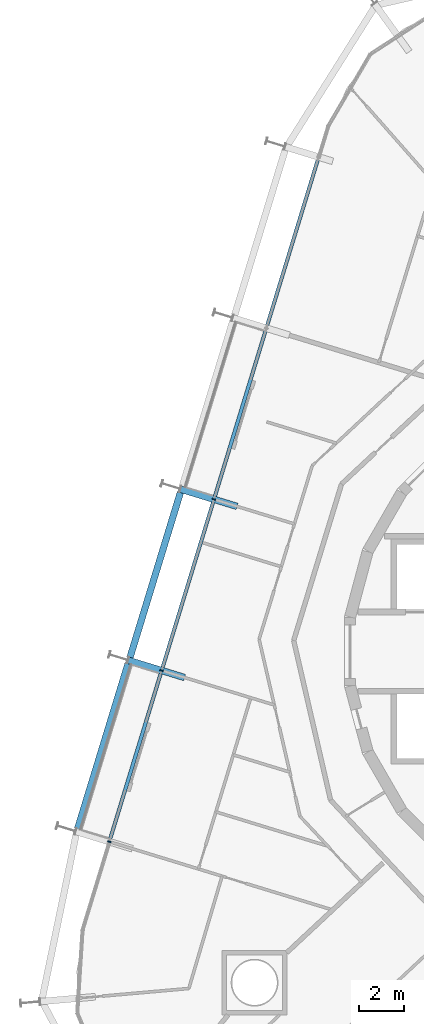
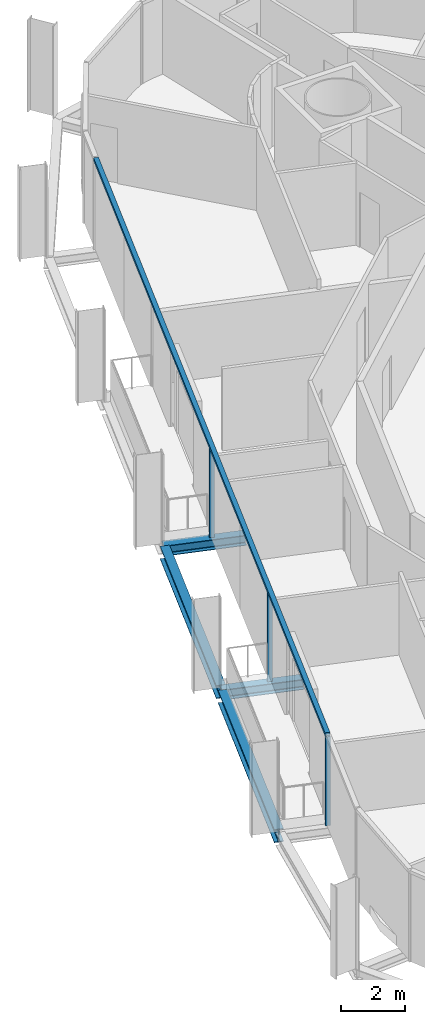
# One storey, part 5 of 18: 4 beams, 4 members, 2 elements without a shape of their own.
"""IFC4 building model written with IfcOpenShell, lengths in metres."""

from ifc_helpers import new_model, si_unit, direction, frame, origin, origin_2d, place, context, subcontext, project, spatial, rectangle, i_section, extrude, material, layer, layer_set, material_profile, profile_set, type_object, element, aggregate, save


model = new_model("IFC4")

# Units and contexts
model_context = context("Model", 3, precision=1e-05, world=origin(), true_north=direction((0.0, 1.0)))
body_context = subcontext(model_context, "Body", "Model", "MODEL_VIEW")
ifc_project = project(units=[si_unit("LENGTHUNIT", "METRE"), si_unit("AREAUNIT", "SQUARE_METRE"), si_unit("VOLUMEUNIT", "CUBIC_METRE"), si_unit("PLANEANGLEUNIT", "RADIAN"), si_unit("MASSUNIT", "GRAM", prefix="KILO")], contexts=[model_context])

# Site, building, storey
site_placement = place(None, origin())
site = spatial("IfcSite", under=ifc_project, at=site_placement, CompositionType="ELEMENT")
building_placement = place(site_placement, origin())
building = spatial("IfcBuilding", under=site, at=building_placement, Name="Spindle Arch Residences", CompositionType="ELEMENT")
storey_placement = place(building_placement, frame((0.0, 0.0, 130.89990234375)))
storey = spatial("IfcBuildingStorey", under=building, at=storey_placement, Name="L32", CompositionType="ELEMENT", Elevation=130.89990234375)

# Curtain wall, members
ifc_material_1 = material(Name="Aluminium bronze unitised frame with tinted glass", Category="aluminium")
ifc_layer_1 = layer(ifc_material_1, 0.159912109375)
ifc_layer_set_1 = layer_set([ifc_layer_1], Name="CW-C typical residential unitised wall")
curtain_wall_type_1 = type_object("IfcCurtainWallType", Name="CW-C typical residential unitised wall", PredefinedType="NOTDEFINED", material=ifc_layer_set_1)
curtain_wall_1_placement = place(storey_placement, origin())
curtain_wall_1 = element("IfcCurtainWall", 1, at=curtain_wall_1_placement, inside=storey, type_object=curtain_wall_type_1, Name="CW-C L32 run 4", PredefinedType="NOTDEFINED")
ifc_material_2 = material(Name="Aluminium bronze anodised mullion", Category="aluminium")
ifc_material_profile_1 = material_profile(ifc_material_2, rectangle(XDim=0.159912109375, YDim=0.06005859375, at=origin_2d()), Name="MU 60x160")
ifc_profile_set_1 = profile_set([ifc_material_profile_1], Name="Aluminium bronze anodised mullion")
member_type_1 = type_object("IfcMemberType", Name="Bronze mullion 60x160", PredefinedType="MULLION", material=ifc_profile_set_1)
member_1_placement = place(storey_placement, frame((-17.750732421875, 6.826171875, -0.3798828125), z_axis=(0.0, 0.0, 1.0), x_axis=(0.956304755963, -0.292371704723, 0.0)))
member_1 = element("IfcMember", 2, at=member_1_placement, type_object=member_type_1, Name="CW-C mullion 14", PredefinedType="MULLION", context=body_context, shape_type="SweptSolid", body=[
    extrude(rectangle(XDim=0.159912109375, YDim=0.06005859375, at=origin_2d()), origin(), (0.0, 0.0, 1.0), 3.3798828125),
])
member_2_placement = place(storey_placement, frame((-20.09814453125, -0.85205078125, -0.3798828125), z_axis=(0.0, 0.0, 1.0), x_axis=(0.956304755963, -0.292371704723, 0.0)))
member_2 = element("IfcMember", 3, at=member_2_placement, type_object=member_type_1, Name="CW-C mullion 15", PredefinedType="MULLION", context=body_context, shape_type="SweptSolid", body=[
    extrude(rectangle(XDim=0.159912109375, YDim=0.06005859375, at=origin_2d()), origin(), (0.0, 0.0, 1.0), 3.3798828125),
])

# Curtain wall, member
ifc_material_3 = material(Name="Aluminium bronze unitised frame with tinted glass", Category="aluminium")
ifc_layer_2 = layer(ifc_material_3, 0.159912109375)
ifc_layer_set_2 = layer_set([ifc_layer_2], Name="CW-D corner wall on the fillet arcs")
curtain_wall_type_2 = type_object("IfcCurtainWallType", Name="CW-D corner wall on the fillet arcs", PredefinedType="NOTDEFINED", material=ifc_layer_set_2)
curtain_wall_2_placement = place(storey_placement, origin())
curtain_wall_2 = element("IfcCurtainWall", 4, at=curtain_wall_2_placement, inside=storey, type_object=curtain_wall_type_2, Name="CW-D L32 run 5", PredefinedType="NOTDEFINED")
member_3_placement = place(storey_placement, frame((-22.44580078125, -8.5302734375, -0.3798828125), z_axis=(0.0, 0.0, 1.0), x_axis=(0.956304755963, -0.292371704723, 0.0)))
member_3 = element("IfcMember", 5, at=member_3_placement, type_object=member_type_1, Name="CW-D mullion 00", PredefinedType="MULLION", context=body_context, shape_type="SweptSolid", body=[
    extrude(rectangle(XDim=0.159912109375, YDim=0.06005859375, at=origin_2d()), origin(), (0.0, 0.0, 1.0), 3.3798828125),
])
aggregate(curtain_wall_2, [member_3])

# Member
ifc_material_4 = material(Name="Aluminium bronze anodised transom", Category="aluminium")
ifc_material_profile_2 = material_profile(ifc_material_4, rectangle(XDim=0.159912109375, YDim=0.1201171875, at=origin_2d()), Name="TR 120x160")
ifc_profile_set_2 = profile_set([ifc_material_profile_2], Name="Aluminium bronze anodised transom")
member_type_2 = type_object("IfcMemberType", Name="Bronze transom 120x160", PredefinedType="USERDEFINED", material=ifc_profile_set_2)
member_4_placement = place(storey_placement, frame((-13.064453125, 22.154296875, 3.06005859375), z_axis=(-0.292373902287, -0.956304084097, 0.0), x_axis=(0.956304084097, -0.292373902287, 0.0)))
member_4 = element("IfcMember", 6, at=member_4_placement, type_object=member_type_2, Name="CW-C transom 00", ObjectType="TRANSOM", PredefinedType="USERDEFINED", context=body_context, shape_type="SweptSolid", body=[
    extrude(rectangle(XDim=0.159912109375, YDim=0.1201171875, at=origin_2d()), origin(), (0.0, 0.0, 1.0), 32.056640625),
])

aggregate(curtain_wall_1, [member_4, member_1, member_2])

# Beams
ifc_material_5 = material(Name="Steel S460ML, intumescent coating R 120", Category="steel")
ifc_material_profile_3 = material_profile(ifc_material_5, i_section(OverallWidth=0.300048828125, OverallDepth=0.5, WebThickness=0.014404296875, FlangeThickness=0.028076171875, FilletRadius=0.027099609375, at=origin_2d()), Name="HEB 500")
ifc_profile_set_3 = profile_set([ifc_material_profile_3], Name="Steel S460ML, intumescent coating R 120")
beam_type_1 = type_object("IfcBeamType", Name="Exoskeleton edge beam HEB 500", PredefinedType="BEAM", material=ifc_profile_set_3)
beam_1_placement = place(storey_placement, frame((-19.251708984375, 7.1494140625, -0.6298828125), z_axis=(-0.292363030977, -0.95630740775, 0.0), x_axis=(0.95630740775, -0.292363030977, 0.0)))
element("IfcBeam", 7, at=beam_1_placement, inside=storey, type_object=beam_type_1, Name="Exoskeleton edge beam 15", PredefinedType="BEAM", context=body_context, shape_type="SweptSolid", body=[
    extrude(i_section(OverallWidth=0.300048828125, OverallDepth=0.5, WebThickness=0.014404296875, FlangeThickness=0.028076171875, FilletRadius=0.027099609375, at=origin_2d()), origin(), (0.0, 0.0, 1.0), 7.769287109375),
])
beam_2_placement = place(storey_placement, frame((-21.599365234375, -0.529052734375, -0.6298828125), z_axis=(-0.292371816855, -0.956304721681, 0.0), x_axis=(0.956304721681, -0.292371816855, 0.0)))
element("IfcBeam", 8, at=beam_2_placement, inside=storey, type_object=beam_type_1, Name="Exoskeleton edge beam 16", PredefinedType="BEAM", context=body_context, shape_type="SweptSolid", body=[
    extrude(i_section(OverallWidth=0.300048828125, OverallDepth=0.5, WebThickness=0.014404296875, FlangeThickness=0.028076171875, FilletRadius=0.027099609375, at=origin_2d()), origin(), (0.0, 0.0, 1.0), 7.76904296875),
])
ifc_material_6 = material(Name="Steel S460ML, intumescent coating R 120", Category="steel")
ifc_material_profile_4 = material_profile(ifc_material_6, i_section(OverallWidth=0.300048828125, OverallDepth=0.389892578125, WebThickness=0.010986328125, FlangeThickness=0.01904296875, FilletRadius=0.027099609375, at=origin_2d()), Name="HEA 400")
ifc_profile_set_4 = profile_set([ifc_material_profile_4], Name="Steel S460ML, intumescent coating R 120")
beam_type_2 = type_object("IfcBeamType", Name="Floor outrigger HEA 400", PredefinedType="BEAM", material=ifc_profile_set_4)
for number, where, z_axis, x_axis, name in (
    (9, (-19.252197265625, 7.285400390625, -0.574951171875), (0.956291475666, -0.292415139091, 0.0), (0.292415139091, 0.956291475666, 0.0), "Floor outrigger 15"),
    (10, (-21.599609375, -0.39306640625, -0.574951171875), (0.956291475666, -0.292415139091, 0.0), (0.292415139091, 0.956291475666, 0.0), "Floor outrigger 16"),
):
    element("IfcBeam", number, at=place(storey_placement, frame(where, z_axis=z_axis, x_axis=x_axis)), inside=storey, type_object=beam_type_2, Name=name, PredefinedType="BEAM", context=body_context, shape_type="SweptSolid", body=[
        extrude(i_section(OverallWidth=0.300048828125, OverallDepth=0.389892578125, WebThickness=0.010986328125, FlangeThickness=0.01904296875, FilletRadius=0.027099609375, at=origin_2d()), origin(), (0.0, 0.0, 1.0), 2.64990234375),
    ])

save(model, "model.ifc")
